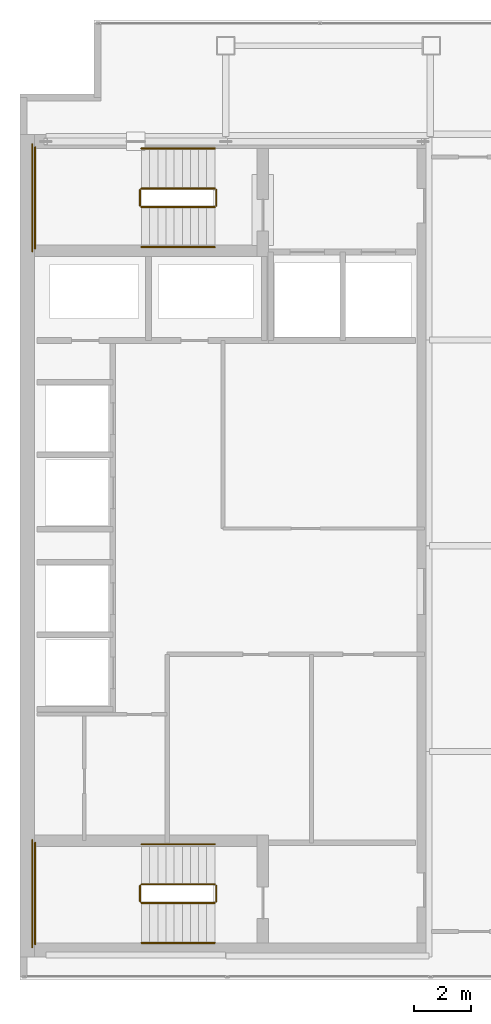
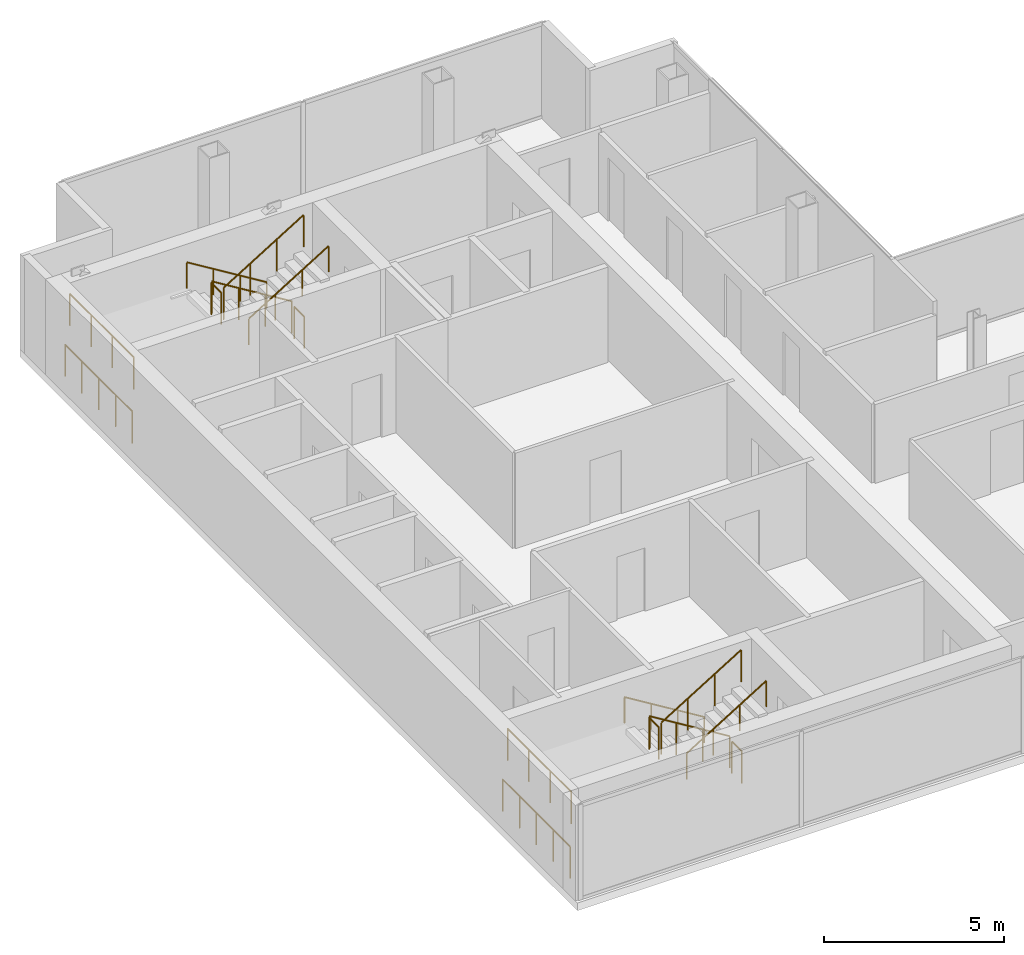
# One storey, part 23 of 23: 16 railings.
"""IFC4 building model written with IfcOpenShell, lengths in metres."""

from ifc_helpers import new_model, si_unit, direction, frame, origin, origin_2d, place, context, subcontext, project, spatial, circle, extrude, material, type_object, element, save


model = new_model("IFC4")

# Units and contexts
model_context = context("Model", 3, precision=1e-05, world=origin(), true_north=direction((0.0, 1.0)))
body_context = subcontext(model_context, "Body", "Model", "MODEL_VIEW")
ifc_project = project(units=[si_unit("LENGTHUNIT", "METRE"), si_unit("AREAUNIT", "SQUARE_METRE"), si_unit("VOLUMEUNIT", "CUBIC_METRE"), si_unit("PLANEANGLEUNIT", "RADIAN"), si_unit("MASSUNIT", "GRAM", prefix="KILO")], contexts=[model_context])

# Site, building, storey
site_placement = place(None, origin())
site = spatial("IfcSite", under=ifc_project, at=site_placement, CompositionType="ELEMENT")
building_placement = place(site_placement, origin())
building = spatial("IfcBuilding", under=site, at=building_placement, Name="Cobrela Telecom Tower", CompositionType="ELEMENT")
storey_placement = place(building_placement, frame((0.0, 0.0, 265.64990234375)))
storey = spatial("IfcBuildingStorey", under=building, at=storey_placement, Name="L69", CompositionType="ELEMENT", Elevation=265.64990234375)

# Railings
ifc_material = material(Name="Steel ASTM A36", Category="steel")
railing_type_1 = type_object("IfcRailingType", Name="RAIL-GUARD-1100", PredefinedType="GUARDRAIL", material=ifc_material)
railing_1_placement = place(storey_placement, frame((6.820068359375, 34.10009765625, 0.175048828125)))
element("IfcRailing", 1, at=railing_1_placement, inside=storey, type_object=railing_type_1, Name="L69 ST1 stair guard 1", PredefinedType="GUARDRAIL", context=body_context, shape_type="SweptSolid", body=[
    extrude(circle(Radius=0.02392578125, at=origin_2d()), frame((0.0, 0.0, 1.076171875), z_axis=(-0.852195335862, 0.0, 0.523223766217), x_axis=(0.0, -1.0, 0.0)), (0.0, 0.0, 1.0), 3.010009765625),
    extrude(circle(Radius=0.02099609375, at=origin_2d()), origin(), (0.0, 0.0, 1.0), 1.052001953125),
    extrude(circle(Radius=0.02099609375, at=origin_2d()), frame((-0.85498046875, 0.0, 0.52490234375)), (0.0, 0.0, 1.0), 1.052001953125),
    extrude(circle(Radius=0.02099609375, at=origin_2d()), frame((-1.710205078125, 0.0, 1.050048828125)), (0.0, 0.0, 1.0), 1.052001953125),
    extrude(circle(Radius=0.02099609375, at=origin_2d()), frame((-2.565185546875, 0.0, 1.574951171875)), (0.0, 0.0, 1.0), 1.052001953125),
])
railing_2_placement = place(storey_placement, frame((4.205078125, 34.050048828125, 1.75)))
element("IfcRailing", 2, at=railing_2_placement, inside=storey, type_object=railing_type_1, Name="L69 ST1 stair guard 2", PredefinedType="GUARDRAIL", context=body_context, shape_type="SweptSolid", body=[
    extrude(circle(Radius=0.02392578125, at=origin_2d()), frame((0.0, 0.0, 1.076171875), z_axis=(0.0, -1.0, 0.0), x_axis=(1.0, 0.0, 0.0)), (0.0, 0.0, 1.0), 0.550048828125),
    extrude(circle(Radius=0.02099609375, at=origin_2d()), origin(), (0.0, 0.0, 1.0), 1.052001953125),
    extrude(circle(Radius=0.02099609375, at=origin_2d()), frame((0.0, -0.550048828125, 0.0)), (0.0, 0.0, 1.0), 1.052001953125),
])
railing_3_placement = place(storey_placement, frame((0.530029296875, 35.550048828125, 1.75)))
element("IfcRailing", 3, at=railing_3_placement, inside=storey, type_object=railing_type_1, Name="L69 ST1 stair guard 3", PredefinedType="GUARDRAIL", context=body_context, shape_type="SweptSolid", body=[
    extrude(circle(Radius=0.02392578125, at=origin_2d()), frame((0.0, 0.0, 1.076171875), z_axis=(0.0, -1.0, 0.0), x_axis=(1.0, 0.0, 0.0)), (0.0, 0.0, 1.0), 3.550048828125),
    extrude(circle(Radius=0.02099609375, at=origin_2d()), origin(), (0.0, 0.0, 1.0), 1.052001953125),
    extrude(circle(Radius=0.02099609375, at=origin_2d()), frame((0.0, -1.183349609375, 0.0)), (0.0, 0.0, 1.0), 1.052001953125),
    extrude(circle(Radius=0.02099609375, at=origin_2d()), frame((0.0, -2.36669921875, 0.0)), (0.0, 0.0, 1.0), 1.052001953125),
    extrude(circle(Radius=0.02099609375, at=origin_2d()), frame((0.0, -3.550048828125, 0.0)), (0.0, 0.0, 1.0), 1.052001953125),
])
railing_4_placement = place(storey_placement, frame((4.2548828125, 33.449951171875, 1.925048828125)))
element("IfcRailing", 4, at=railing_4_placement, inside=storey, type_object=railing_type_1, Name="L69 ST1 stair guard 4", PredefinedType="GUARDRAIL", context=body_context, shape_type="SweptSolid", body=[
    extrude(circle(Radius=0.02392578125, at=origin_2d()), frame((0.0, 0.0, 1.076171875), z_axis=(0.852195335862, 0.0, 0.523223766217), x_axis=(0.0, 1.0, 0.0)), (0.0, 0.0, 1.0), 3.010009765625),
    extrude(circle(Radius=0.02099609375, at=origin_2d()), origin(), (0.0, 0.0, 1.0), 1.052001953125),
    extrude(circle(Radius=0.02099609375, at=origin_2d()), frame((0.85498046875, 0.0, 0.52490234375)), (0.0, 0.0, 1.0), 1.052001953125),
    extrude(circle(Radius=0.02099609375, at=origin_2d()), frame((1.710205078125, 0.0, 1.050048828125)), (0.0, 0.0, 1.0), 1.052001953125),
    extrude(circle(Radius=0.02099609375, at=origin_2d()), frame((2.565185546875, 0.0, 1.574951171875)), (0.0, 0.0, 1.0), 1.052001953125),
])
railing_5_placement = place(storey_placement, frame((6.8701171875, 34.050048828125, 0.0)))
element("IfcRailing", 5, at=railing_5_placement, inside=storey, type_object=railing_type_1, Name="L69 ST1 stair guard 5", PredefinedType="GUARDRAIL", context=body_context, shape_type="SweptSolid", body=[
    extrude(circle(Radius=0.02392578125, at=origin_2d()), frame((0.0, 0.0, 1.076171875), z_axis=(0.0, -1.0, 0.0), x_axis=(1.0, 0.0, 0.0)), (0.0, 0.0, 1.0), 0.550048828125),
    extrude(circle(Radius=0.02099609375, at=origin_2d()), origin(), (0.0, 0.0, 1.0), 1.052001953125),
    extrude(circle(Radius=0.02099609375, at=origin_2d()), frame((0.0, -0.550048828125, 0.0)), (0.0, 0.0, 1.0), 1.052001953125),
])
railing_6_placement = place(storey_placement, frame((0.429931640625, 35.64990234375, 0.0)))
element("IfcRailing", 6, at=railing_6_placement, inside=storey, type_object=railing_type_1, Name="L69 ST1 stair guard 6", PredefinedType="GUARDRAIL", context=body_context, shape_type="SweptSolid", body=[
    extrude(circle(Radius=0.02392578125, at=origin_2d()), frame((0.0, 0.0, 1.076171875), z_axis=(0.0, -1.0, 0.0), x_axis=(1.0, 0.0, 0.0)), (0.0, 0.0, 1.0), 3.75),
    extrude(circle(Radius=0.02099609375, at=origin_2d()), origin(), (0.0, 0.0, 1.0), 1.052001953125),
    extrude(circle(Radius=0.02099609375, at=origin_2d()), frame((0.0, -0.9375, 0.0)), (0.0, 0.0, 1.0), 1.052001953125),
    extrude(circle(Radius=0.02099609375, at=origin_2d()), frame((0.0, -1.875, 0.0)), (0.0, 0.0, 1.0), 1.052001953125),
    extrude(circle(Radius=0.02099609375, at=origin_2d()), frame((0.0, -2.8125, 0.0)), (0.0, 0.0, 1.0), 1.052001953125),
    extrude(circle(Radius=0.02099609375, at=origin_2d()), frame((0.0, -3.75, 0.0)), (0.0, 0.0, 1.0), 1.052001953125),
])
railing_7_placement = place(storey_placement, frame((6.820068359375, 9.75, 0.175048828125)))
element("IfcRailing", 7, at=railing_7_placement, inside=storey, type_object=railing_type_1, Name="L69 ST2 stair guard 1", PredefinedType="GUARDRAIL", context=body_context, shape_type="SweptSolid", body=[
    extrude(circle(Radius=0.02392578125, at=origin_2d()), frame((0.0, 0.0, 1.076171875), z_axis=(-0.852195335862, 0.0, 0.523223766217), x_axis=(0.0, -1.0, 0.0)), (0.0, 0.0, 1.0), 3.010009765625),
    extrude(circle(Radius=0.02099609375, at=origin_2d()), origin(), (0.0, 0.0, 1.0), 1.052001953125),
    extrude(circle(Radius=0.02099609375, at=origin_2d()), frame((-0.85498046875, 0.0, 0.52490234375)), (0.0, 0.0, 1.0), 1.052001953125),
    extrude(circle(Radius=0.02099609375, at=origin_2d()), frame((-1.710205078125, 0.0, 1.050048828125)), (0.0, 0.0, 1.0), 1.052001953125),
    extrude(circle(Radius=0.02099609375, at=origin_2d()), frame((-2.565185546875, 0.0, 1.574951171875)), (0.0, 0.0, 1.0), 1.052001953125),
])
railing_8_placement = place(storey_placement, frame((4.205078125, 9.699951171875, 1.75)))
element("IfcRailing", 8, at=railing_8_placement, inside=storey, type_object=railing_type_1, Name="L69 ST2 stair guard 2", PredefinedType="GUARDRAIL", context=body_context, shape_type="SweptSolid", body=[
    extrude(circle(Radius=0.02392578125, at=origin_2d()), frame((0.0, 0.0, 1.076171875), z_axis=(0.0, -1.0, 0.0), x_axis=(1.0, 0.0, 0.0)), (0.0, 0.0, 1.0), 0.550048828125),
    extrude(circle(Radius=0.02099609375, at=origin_2d()), origin(), (0.0, 0.0, 1.0), 1.052001953125),
    extrude(circle(Radius=0.02099609375, at=origin_2d()), frame((0.0, -0.550048828125, 0.0)), (0.0, 0.0, 1.0), 1.052001953125),
])
railing_9_placement = place(storey_placement, frame((0.530029296875, 11.199951171875, 1.75)))
element("IfcRailing", 9, at=railing_9_placement, inside=storey, type_object=railing_type_1, Name="L69 ST2 stair guard 3", PredefinedType="GUARDRAIL", context=body_context, shape_type="SweptSolid", body=[
    extrude(circle(Radius=0.02392578125, at=origin_2d()), frame((0.0, 0.0, 1.076171875), z_axis=(0.0, -1.0, 0.0), x_axis=(1.0, 0.0, 0.0)), (0.0, 0.0, 1.0), 3.550048828125),
    extrude(circle(Radius=0.02099609375, at=origin_2d()), origin(), (0.0, 0.0, 1.0), 1.052001953125),
    extrude(circle(Radius=0.02099609375, at=origin_2d()), frame((0.0, -1.183349609375, 0.0)), (0.0, 0.0, 1.0), 1.052001953125),
    extrude(circle(Radius=0.02099609375, at=origin_2d()), frame((0.0, -2.36669921875, 0.0)), (0.0, 0.0, 1.0), 1.052001953125),
    extrude(circle(Radius=0.02099609375, at=origin_2d()), frame((0.0, -3.550048828125, 0.0)), (0.0, 0.0, 1.0), 1.052001953125),
])
railing_10_placement = place(storey_placement, frame((4.2548828125, 9.10009765625, 1.925048828125)))
element("IfcRailing", 10, at=railing_10_placement, inside=storey, type_object=railing_type_1, Name="L69 ST2 stair guard 4", PredefinedType="GUARDRAIL", context=body_context, shape_type="SweptSolid", body=[
    extrude(circle(Radius=0.02392578125, at=origin_2d()), frame((0.0, 0.0, 1.076171875), z_axis=(0.852195335862, 0.0, 0.523223766217), x_axis=(0.0, 1.0, 0.0)), (0.0, 0.0, 1.0), 3.010009765625),
    extrude(circle(Radius=0.02099609375, at=origin_2d()), origin(), (0.0, 0.0, 1.0), 1.052001953125),
    extrude(circle(Radius=0.02099609375, at=origin_2d()), frame((0.85498046875, 0.0, 0.52490234375)), (0.0, 0.0, 1.0), 1.052001953125),
    extrude(circle(Radius=0.02099609375, at=origin_2d()), frame((1.710205078125, 0.0, 1.050048828125)), (0.0, 0.0, 1.0), 1.052001953125),
    extrude(circle(Radius=0.02099609375, at=origin_2d()), frame((2.565185546875, 0.0, 1.574951171875)), (0.0, 0.0, 1.0), 1.052001953125),
])
railing_11_placement = place(storey_placement, frame((6.8701171875, 9.699951171875, 0.0)))
element("IfcRailing", 11, at=railing_11_placement, inside=storey, type_object=railing_type_1, Name="L69 ST2 stair guard 5", PredefinedType="GUARDRAIL", context=body_context, shape_type="SweptSolid", body=[
    extrude(circle(Radius=0.02392578125, at=origin_2d()), frame((0.0, 0.0, 1.076171875), z_axis=(0.0, -1.0, 0.0), x_axis=(1.0, 0.0, 0.0)), (0.0, 0.0, 1.0), 0.550048828125),
    extrude(circle(Radius=0.02099609375, at=origin_2d()), origin(), (0.0, 0.0, 1.0), 1.052001953125),
    extrude(circle(Radius=0.02099609375, at=origin_2d()), frame((0.0, -0.550048828125, 0.0)), (0.0, 0.0, 1.0), 1.052001953125),
])
railing_12_placement = place(storey_placement, frame((0.429931640625, 11.300048828125, 0.0)))
element("IfcRailing", 12, at=railing_12_placement, inside=storey, type_object=railing_type_1, Name="L69 ST2 stair guard 6", PredefinedType="GUARDRAIL", context=body_context, shape_type="SweptSolid", body=[
    extrude(circle(Radius=0.02392578125, at=origin_2d()), frame((0.0, 0.0, 1.076171875), z_axis=(0.0, -1.0, 0.0), x_axis=(1.0, 0.0, 0.0)), (0.0, 0.0, 1.0), 3.75),
    extrude(circle(Radius=0.02099609375, at=origin_2d()), origin(), (0.0, 0.0, 1.0), 1.052001953125),
    extrude(circle(Radius=0.02099609375, at=origin_2d()), frame((0.0, -0.9375, 0.0)), (0.0, 0.0, 1.0), 1.052001953125),
    extrude(circle(Radius=0.02099609375, at=origin_2d()), frame((0.0, -1.875, 0.0)), (0.0, 0.0, 1.0), 1.052001953125),
    extrude(circle(Radius=0.02099609375, at=origin_2d()), frame((0.0, -2.8125, 0.0)), (0.0, 0.0, 1.0), 1.052001953125),
    extrude(circle(Radius=0.02099609375, at=origin_2d()), frame((0.0, -3.75, 0.0)), (0.0, 0.0, 1.0), 1.052001953125),
])
railing_type_2 = type_object("IfcRailingType", Name="RAIL-HAND-920", PredefinedType="HANDRAIL", material=ifc_material)
railing_13_placement = place(storey_placement, frame((6.820068359375, 35.5, 0.175048828125)))
element("IfcRailing", 13, at=railing_13_placement, inside=storey, type_object=railing_type_2, Name="L69 ST1 stair handrail 1", PredefinedType="HANDRAIL", context=body_context, shape_type="SweptSolid", body=[
    extrude(circle(Radius=0.02392578125, at=origin_2d()), frame((0.0, 0.0, 0.8759765625), z_axis=(-0.852195335862, 0.0, 0.523223766217), x_axis=(0.0, -1.0, 0.0)), (0.0, 0.0, 1.0), 3.010009765625),
    extrude(circle(Radius=0.02099609375, at=origin_2d()), origin(), (0.0, 0.0, 1.0), 0.851806640625),
    extrude(circle(Radius=0.02099609375, at=origin_2d()), frame((-0.85498046875, 0.0, 0.52490234375)), (0.0, 0.0, 1.0), 0.851806640625),
    extrude(circle(Radius=0.02099609375, at=origin_2d()), frame((-1.710205078125, 0.0, 1.050048828125)), (0.0, 0.0, 1.0), 0.851806640625),
    extrude(circle(Radius=0.02099609375, at=origin_2d()), frame((-2.565185546875, 0.0, 1.574951171875)), (0.0, 0.0, 1.0), 0.851806640625),
])
railing_14_placement = place(storey_placement, frame((4.2548828125, 32.050048828125, 1.925048828125)))
element("IfcRailing", 14, at=railing_14_placement, inside=storey, type_object=railing_type_2, Name="L69 ST1 stair handrail 2", PredefinedType="HANDRAIL", context=body_context, shape_type="SweptSolid", body=[
    extrude(circle(Radius=0.02392578125, at=origin_2d()), frame((0.0, 0.0, 0.8759765625), z_axis=(0.852195335862, 0.0, 0.523223766217), x_axis=(0.0, 1.0, 0.0)), (0.0, 0.0, 1.0), 3.010009765625),
    extrude(circle(Radius=0.02099609375, at=origin_2d()), origin(), (0.0, 0.0, 1.0), 0.851806640625),
    extrude(circle(Radius=0.02099609375, at=origin_2d()), frame((0.85498046875, 0.0, 0.52490234375)), (0.0, 0.0, 1.0), 0.851806640625),
    extrude(circle(Radius=0.02099609375, at=origin_2d()), frame((1.710205078125, 0.0, 1.050048828125)), (0.0, 0.0, 1.0), 0.851806640625),
    extrude(circle(Radius=0.02099609375, at=origin_2d()), frame((2.565185546875, 0.0, 1.574951171875)), (0.0, 0.0, 1.0), 0.851806640625),
])
railing_15_placement = place(storey_placement, frame((6.820068359375, 11.14990234375, 0.175048828125)))
element("IfcRailing", 15, at=railing_15_placement, inside=storey, type_object=railing_type_2, Name="L69 ST2 stair handrail 1", PredefinedType="HANDRAIL", context=body_context, shape_type="SweptSolid", body=[
    extrude(circle(Radius=0.02392578125, at=origin_2d()), frame((0.0, 0.0, 0.8759765625), z_axis=(-0.852195335862, 0.0, 0.523223766217), x_axis=(0.0, -1.0, 0.0)), (0.0, 0.0, 1.0), 3.010009765625),
    extrude(circle(Radius=0.02099609375, at=origin_2d()), origin(), (0.0, 0.0, 1.0), 0.851806640625),
    extrude(circle(Radius=0.02099609375, at=origin_2d()), frame((-0.85498046875, 0.0, 0.52490234375)), (0.0, 0.0, 1.0), 0.851806640625),
    extrude(circle(Radius=0.02099609375, at=origin_2d()), frame((-1.710205078125, 0.0, 1.050048828125)), (0.0, 0.0, 1.0), 0.851806640625),
    extrude(circle(Radius=0.02099609375, at=origin_2d()), frame((-2.565185546875, 0.0, 1.574951171875)), (0.0, 0.0, 1.0), 0.851806640625),
])
railing_16_placement = place(storey_placement, frame((4.2548828125, 7.699951171875, 1.925048828125)))
element("IfcRailing", 16, at=railing_16_placement, inside=storey, type_object=railing_type_2, Name="L69 ST2 stair handrail 2", PredefinedType="HANDRAIL", context=body_context, shape_type="SweptSolid", body=[
    extrude(circle(Radius=0.02392578125, at=origin_2d()), frame((0.0, 0.0, 0.8759765625), z_axis=(0.852195335862, 0.0, 0.523223766217), x_axis=(0.0, 1.0, 0.0)), (0.0, 0.0, 1.0), 3.010009765625),
    extrude(circle(Radius=0.02099609375, at=origin_2d()), origin(), (0.0, 0.0, 1.0), 0.851806640625),
    extrude(circle(Radius=0.02099609375, at=origin_2d()), frame((0.85498046875, 0.0, 0.52490234375)), (0.0, 0.0, 1.0), 0.851806640625),
    extrude(circle(Radius=0.02099609375, at=origin_2d()), frame((1.710205078125, 0.0, 1.050048828125)), (0.0, 0.0, 1.0), 0.851806640625),
    extrude(circle(Radius=0.02099609375, at=origin_2d()), frame((2.565185546875, 0.0, 1.574951171875)), (0.0, 0.0, 1.0), 0.851806640625),
])

save(model, "model.ifc")
